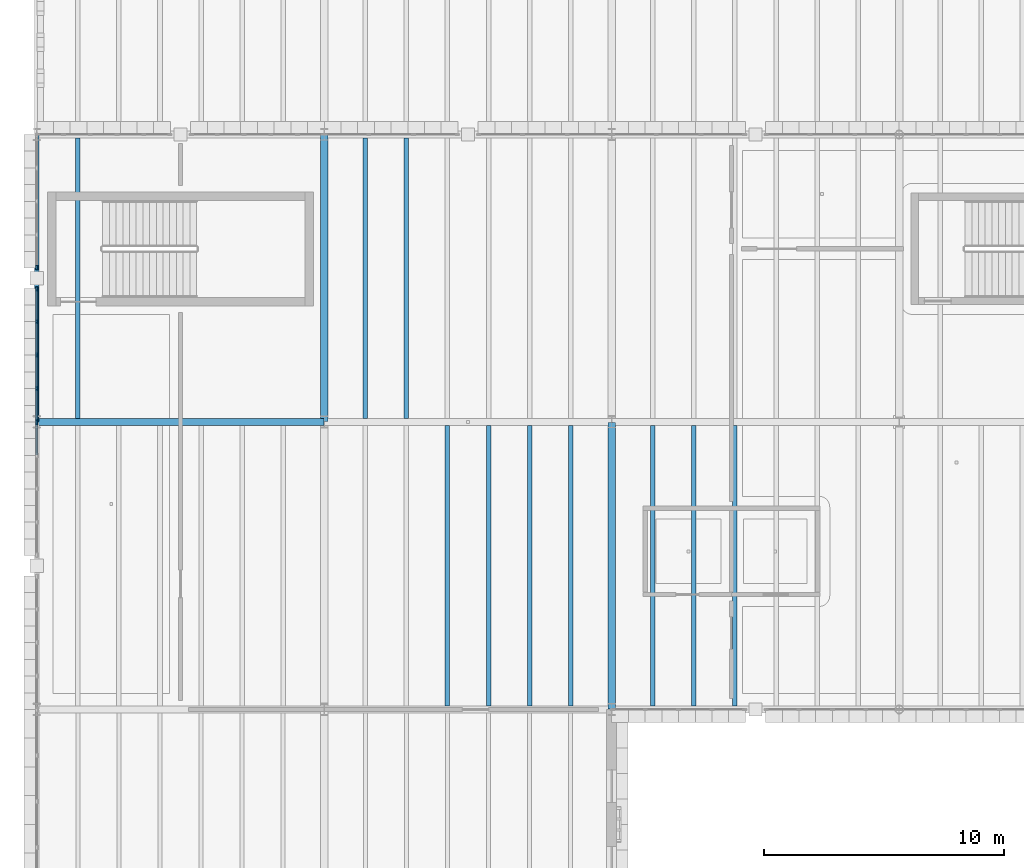
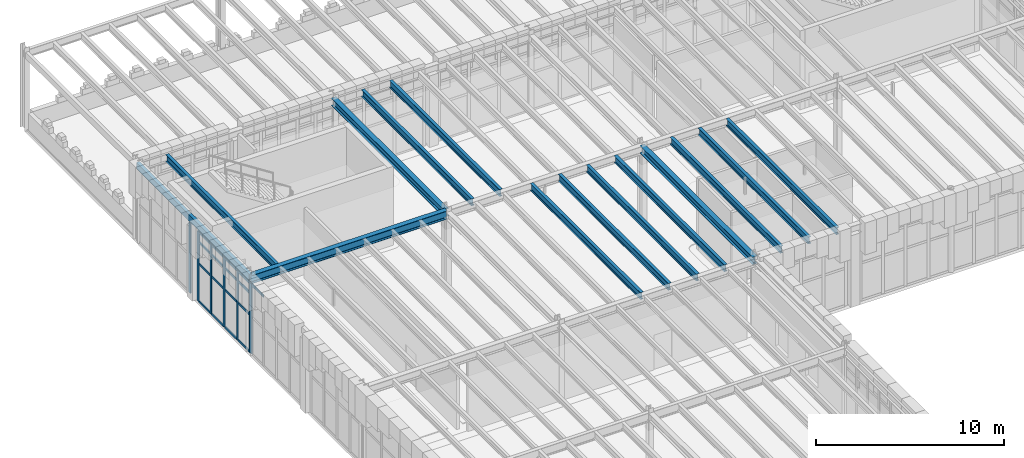
# One storey, part 19 of 100: 24 members, 14 beams, 3 elements without a shape of their own.
"""IFC4 building model written with IfcOpenShell, lengths in metres."""

from ifc_helpers import new_model, si_unit, direction, frame, origin, origin_2d, place, context, subcontext, project, spatial, rectangle, hollow_rectangle, i_section, extrude, material, layer, layer_set, material_profile, profile_set, type_object, element, aggregate, save


model = new_model("IFC4")

# Units and contexts
model_context = context("Model", 3, precision=1e-05, world=origin(), true_north=direction((0.0, 1.0)))
body_context = subcontext(model_context, "Body", "Model", "MODEL_VIEW")
ifc_project = project(units=[si_unit("LENGTHUNIT", "METRE"), si_unit("AREAUNIT", "SQUARE_METRE"), si_unit("VOLUMEUNIT", "CUBIC_METRE"), si_unit("PLANEANGLEUNIT", "RADIAN"), si_unit("MASSUNIT", "GRAM", prefix="KILO")], contexts=[model_context])

# Site, building, storey
site_placement = place(None, origin())
site = spatial("IfcSite", under=ifc_project, at=site_placement, CompositionType="ELEMENT")
building_placement = place(site_placement, origin())
building = spatial("IfcBuilding", under=site, at=building_placement, Name="Zlatogorsky Bluff Art Gallery", CompositionType="ELEMENT")
storey_placement = place(building_placement, frame((0.0, 0.0, 5.39990234375)))
storey = spatial("IfcBuildingStorey", under=building, at=storey_placement, Name="L01", CompositionType="ELEMENT", Elevation=5.39990234375)

# Beams
ifc_material_1 = material(Name="Steel S355", Category="steel")
ifc_material_profile_1 = material_profile(ifc_material_1, i_section(OverallWidth=0.300048828125, OverallDepth=0.5400390625, WebThickness=0.012451171875, FlangeThickness=0.02392578125, FilletRadius=0.027099609375, at=origin_2d()), Name="HEA 550")
ifc_profile_set_1 = profile_set([ifc_material_profile_1], Name="Steel S355")
beam_type_1 = type_object("IfcBeamType", Name="Beam BM-06 HEA 550", PredefinedType="BEAM", material=ifc_profile_set_1)
beam_1_placement = place(storey_placement, frame((0.014892578125, 96.0, 4.840087890625), z_axis=(1.0, 0.0, 0.0), x_axis=(0.0, 1.0, 0.0)))
element("IfcBeam", 1, at=beam_1_placement, inside=storey, type_object=beam_type_1, Name="Primary girder BM-06 L01 A-B/10", PredefinedType="BEAM", context=body_context, shape_type="SweptSolid", body=[
    extrude(i_section(OverallWidth=0.300048828125, OverallDepth=0.5400390625, WebThickness=0.012451171875, FlangeThickness=0.02392578125, FilletRadius=0.027099609375, at=origin_2d()), origin(), (0.0, 0.0, 1.0), 11.97021484375),
])
ifc_material_profile_2 = material_profile(ifc_material_1, i_section(OverallWidth=0.300048828125, OverallDepth=0.489990234375, WebThickness=0.011962890625, FlangeThickness=0.02294921875, FilletRadius=0.027099609375, at=origin_2d()), Name="HEA 500")
ifc_profile_set_2 = profile_set([ifc_material_profile_2], Name="Steel S355")
beam_type_2 = type_object("IfcBeamType", Name="Beam BM-07 HEA 500", PredefinedType="BEAM", material=ifc_profile_set_2)
for number, where, z_axis, x_axis, name in (
    (2, (12.0, 96.014892578125, 4.864990234375), (0.0, 1.0, 0.0), (-1.0, 0.0, 0.0), "Primary girder BM-07 L01 B/10-11"),
    (3, (24.0, 84.014892578125, 4.864990234375), (0.0, 1.0, 0.0), (-1.0, 0.0, 0.0), "Primary girder BM-07 L01 C/9-10"),
):
    element("IfcBeam", number, at=place(storey_placement, frame(where, z_axis=z_axis, x_axis=x_axis)), inside=storey, type_object=beam_type_2, Name=name, PredefinedType="BEAM", context=body_context, shape_type="SweptSolid", body=[
        extrude(i_section(OverallWidth=0.300048828125, OverallDepth=0.489990234375, WebThickness=0.011962890625, FlangeThickness=0.02294921875, FilletRadius=0.027099609375, at=origin_2d()), origin(), (0.0, 0.0, 1.0), 11.97021484375),
    ])
ifc_material_profile_3 = material_profile(ifc_material_1, i_section(OverallWidth=0.18994140625, OverallDepth=0.449951171875, WebThickness=0.009521484375, FlangeThickness=0.0146484375, FilletRadius=0.02099609375, at=origin_2d()), Name="IPE 450")
ifc_profile_set_3 = profile_set([ifc_material_profile_3], Name="Steel S355")
beam_type_3 = type_object("IfcBeamType", Name="Beam JS-06 IPE 450", PredefinedType="JOIST", material=ifc_profile_set_3)
for number, where, z_axis, x_axis, name in (
    (4, (1.71435546875, 96.14990234375, 4.885009765625), (0.0, 1.0, 0.0), (-1.0, 0.0, 0.0), "Composite floor joist JS-06 L01 00.09.1"),
    (5, (17.142822265625, 84.14990234375, 4.885009765625), (0.0, 1.0, 0.0), (-1.0, 0.0, 0.0), "Composite floor joist JS-06 L01 01.08.3"),
    (6, (18.857177734375, 84.14990234375, 4.885009765625), (0.0, 1.0, 0.0), (-1.0, 0.0, 0.0), "Composite floor joist JS-06 L01 01.08.4"),
    (7, (20.571533203125, 84.14990234375, 4.885009765625), (0.0, 1.0, 0.0), (-1.0, 0.0, 0.0), "Composite floor joist JS-06 L01 01.08.5"),
    (8, (22.28564453125, 84.14990234375, 4.885009765625), (0.0, 1.0, 0.0), (-1.0, 0.0, 0.0), "Composite floor joist JS-06 L01 01.08.6"),
    (9, (13.71435546875, 96.14990234375, 4.885009765625), (0.0, 1.0, 0.0), (-1.0, 0.0, 0.0), "Composite floor joist JS-06 L01 01.09.1"),
    (10, (15.428466796875, 96.14990234375, 4.885009765625), (0.0, 1.0, 0.0), (-1.0, 0.0, 0.0), "Composite floor joist JS-06 L01 01.09.2"),
    (11, (25.71435546875, 84.14990234375, 4.885009765625), (0.0, 1.0, 0.0), (-1.0, 0.0, 0.0), "Composite floor joist JS-06 L01 02.08.1"),
    (12, (27.428466796875, 84.14990234375, 4.885009765625), (0.0, 1.0, 0.0), (-1.0, 0.0, 0.0), "Composite floor joist JS-06 L01 02.08.2"),
    (13, (29.142822265625, 84.14990234375, 4.885009765625), (0.0, 1.0, 0.0), (-1.0, 0.0, 0.0), "Composite floor joist JS-06 L01 02.08.3"),
):
    element("IfcBeam", number, at=place(storey_placement, frame(where, z_axis=z_axis, x_axis=x_axis)), inside=storey, type_object=beam_type_3, Name=name, PredefinedType="JOIST", context=body_context, shape_type="SweptSolid", body=[
        extrude(i_section(OverallWidth=0.18994140625, OverallDepth=0.449951171875, WebThickness=0.009521484375, FlangeThickness=0.0146484375, FilletRadius=0.02099609375, at=origin_2d()), origin(), (0.0, 0.0, 1.0), 11.7001953125),
    ])
ifc_material_profile_4 = material_profile(ifc_material_1, hollow_rectangle(XDim=0.199951171875, YDim=0.39990234375, WallThickness=0.01611328125, at=origin_2d()), Name="RHS 400x200x16")
ifc_profile_set_4 = profile_set([ifc_material_profile_4], Name="Steel S355")
beam_type_4 = type_object("IfcBeamType", Name="Beam SP-02 RHS 400x200x16", PredefinedType="SPANDREL", material=ifc_profile_set_4)
beam_2_placement = place(storey_placement, frame((0.0, 96.014892578125, 4.91015625), z_axis=(0.0, 1.0, 0.0), x_axis=(-1.0, 0.0, 0.0)))
element("IfcBeam", 14, at=beam_2_placement, inside=storey, type_object=beam_type_4, Name="Primary girder SP-02 L01 A/10-11", PredefinedType="SPANDREL", context=body_context, shape_type="SweptSolid", body=[
    extrude(hollow_rectangle(XDim=0.199951171875, YDim=0.39990234375, WallThickness=0.01611328125, at=origin_2d()), origin(), (0.0, 0.0, 1.0), 11.97021484375),
])

# Curtain wall, member
ifc_material_2 = material(Name="Anodised Bronze Aluminium and Low-Iron Triple Glazing", Category="aluminium")
ifc_layer = layer(ifc_material_2, 0.179931640625)
ifc_layer_set = layer_set([ifc_layer], Name="Curtain Wall CW-01")
curtain_wall_type = type_object("IfcCurtainWallType", Name="Curtain Wall CW-01", PredefinedType="USERDEFINED", material=ifc_layer_set)
curtain_wall_1_placement = place(storey_placement, origin())
curtain_wall_1 = element("IfcCurtainWall", 15, at=curtain_wall_1_placement, inside=storey, type_object=curtain_wall_type, Name="Unitised curtain wall CW-01 L01 W 0.8-A", ObjectType="CURTAIN WALL", PredefinedType="USERDEFINED")
ifc_material_3 = material(Name="Anodised Bronze Aluminium", Category="aluminium")
ifc_material_profile_5 = material_profile(ifc_material_3, rectangle(XDim=0.06494140625, YDim=0.179931640625, at=origin_2d()), Name="ALU MULLION 65x180")
ifc_profile_set_5 = profile_set([ifc_material_profile_5], Name="Anodised Bronze Aluminium")
member_type_1 = type_object("IfcMemberType", Name="Curtain Mullion ML-01", PredefinedType="MULLION", material=ifc_profile_set_5)
member_1_placement = place(storey_placement, frame((0.0, 95.967529296875, 0.0), z_axis=(0.0, 0.0, 1.0), x_axis=(1.0, 0.0, 0.0)))
member_1 = element("IfcMember", 16, at=member_1_placement, type_object=member_type_1, Name="CW-01 mullion 1", PredefinedType="MULLION", context=body_context, shape_type="SweptSolid", body=[
    extrude(rectangle(XDim=0.06494140625, YDim=0.179931640625, at=origin_2d()), origin(), (0.0, 0.0, 1.0), 4.530029296875),
])

curtain_wall_2_placement = place(storey_placement, origin())
curtain_wall_2 = element("IfcCurtainWall", 17, at=curtain_wall_2_placement, inside=storey, type_object=curtain_wall_type, Name="Unitised curtain wall CW-01 L01 W 0.9-A", ObjectType="CURTAIN WALL", PredefinedType="USERDEFINED")
member_2_placement = place(storey_placement, frame((0.0, 102.452392578125, 0.0), z_axis=(0.0, 0.0, 1.0), x_axis=(1.0, 0.0, 0.0)))
member_2 = element("IfcMember", 18, at=member_2_placement, type_object=member_type_1, Name="CW-01 mullion 5", PredefinedType="MULLION", context=body_context, shape_type="SweptSolid", body=[
    extrude(rectangle(XDim=0.06494140625, YDim=0.179931640625, at=origin_2d()), origin(), (0.0, 0.0, 1.0), 4.530029296875),
])
aggregate(curtain_wall_2, [member_2])

# Curtain wall, members
curtain_wall_3_placement = place(storey_placement, origin())
curtain_wall_3 = element("IfcCurtainWall", 19, at=curtain_wall_3_placement, inside=storey, type_object=curtain_wall_type, Name="Unitised curtain wall CW-01 L01 W 0.9-B", ObjectType="CURTAIN WALL", PredefinedType="USERDEFINED")
member_3_placement = place(storey_placement, frame((0.0, 101.547607421875, 0.0), z_axis=(0.0, 0.0, 1.0), x_axis=(1.0, 0.0, 0.0)))
member_3 = element("IfcMember", 20, at=member_3_placement, type_object=member_type_1, Name="CW-01 mullion 1", PredefinedType="MULLION", context=body_context, shape_type="SweptSolid", body=[
    extrude(rectangle(XDim=0.06494140625, YDim=0.179931640625, at=origin_2d()), origin(), (0.0, 0.0, 1.0), 4.530029296875),
])
member_4_placement = place(storey_placement, frame((0.0, 100.18505859375, 0.0), z_axis=(0.0, 0.0, 1.0), x_axis=(1.0, 0.0, 0.0)))
member_4 = element("IfcMember", 21, at=member_4_placement, type_object=member_type_1, Name="CW-01 mullion 2", PredefinedType="MULLION", context=body_context, shape_type="SweptSolid", body=[
    extrude(rectangle(XDim=0.06494140625, YDim=0.179931640625, at=origin_2d()), origin(), (0.0, 0.0, 1.0), 4.530029296875),
])
member_5_placement = place(storey_placement, frame((0.0, 98.7900390625, 0.0), z_axis=(0.0, 0.0, 1.0), x_axis=(1.0, 0.0, 0.0)))
member_5 = element("IfcMember", 22, at=member_5_placement, type_object=member_type_1, Name="CW-01 mullion 3", PredefinedType="MULLION", context=body_context, shape_type="SweptSolid", body=[
    extrude(rectangle(XDim=0.06494140625, YDim=0.179931640625, at=origin_2d()), origin(), (0.0, 0.0, 1.0), 4.530029296875),
])
member_6_placement = place(storey_placement, frame((0.0, 97.39501953125, 0.0), z_axis=(0.0, 0.0, 1.0), x_axis=(1.0, 0.0, 0.0)))
member_6 = element("IfcMember", 23, at=member_6_placement, type_object=member_type_1, Name="CW-01 mullion 4", PredefinedType="MULLION", context=body_context, shape_type="SweptSolid", body=[
    extrude(rectangle(XDim=0.06494140625, YDim=0.179931640625, at=origin_2d()), origin(), (0.0, 0.0, 1.0), 4.530029296875),
])
member_7_placement = place(storey_placement, frame((0.0, 96.032470703125, 0.0), z_axis=(0.0, 0.0, 1.0), x_axis=(1.0, 0.0, 0.0)))
member_7 = element("IfcMember", 24, at=member_7_placement, type_object=member_type_1, Name="CW-01 mullion 5", PredefinedType="MULLION", context=body_context, shape_type="SweptSolid", body=[
    extrude(rectangle(XDim=0.06494140625, YDim=0.179931640625, at=origin_2d()), origin(), (0.0, 0.0, 1.0), 4.530029296875),
])

# Member
ifc_material_profile_6 = material_profile(ifc_material_3, rectangle(XDim=0.06494140625, YDim=0.139892578125, at=origin_2d()), Name="ALU TRANSOM 65x140")
ifc_profile_set_6 = profile_set([ifc_material_profile_6], Name="Anodised Bronze Aluminium")
member_type_2 = type_object("IfcMemberType", Name="Curtain Transom TR-01", PredefinedType="USERDEFINED", material=ifc_profile_set_6)
member_8_placement = place(storey_placement, frame((0.0, 95.93505859375, 4.49755859375), z_axis=(0.0, -1.0, 0.0), x_axis=(1.0, 0.0, 0.0)))
member_8 = element("IfcMember", 25, at=member_8_placement, type_object=member_type_2, Name="CW-01 transom 1.4", ObjectType="TRANSOM", PredefinedType="USERDEFINED", context=body_context, shape_type="SweptSolid", body=[
    extrude(rectangle(XDim=0.06494140625, YDim=0.139892578125, at=origin_2d()), origin(), (0.0, 0.0, 1.0), 1.297607421875),
])

aggregate(curtain_wall_1, [member_1, member_8])

member_9_placement = place(storey_placement, frame((0.0, 101.514892578125, 0.03271484375), z_axis=(0.0, -1.0, 0.0), x_axis=(1.0, 0.0, 0.0)))
member_9 = element("IfcMember", 26, at=member_9_placement, type_object=member_type_2, Name="CW-01 transom 1.1", ObjectType="TRANSOM", PredefinedType="USERDEFINED", context=body_context, shape_type="SweptSolid", body=[
    extrude(rectangle(XDim=0.06494140625, YDim=0.139892578125, at=origin_2d()), origin(), (0.0, 0.0, 1.0), 1.29736328125),
])

member_10_placement = place(storey_placement, frame((0.0, 101.514892578125, 2.4501953125), z_axis=(0.0, -1.0, 0.0), x_axis=(1.0, 0.0, 0.0)))
member_10 = element("IfcMember", 27, at=member_10_placement, type_object=member_type_2, Name="CW-01 transom 1.2", ObjectType="TRANSOM", PredefinedType="USERDEFINED", context=body_context, shape_type="SweptSolid", body=[
    extrude(rectangle(XDim=0.06494140625, YDim=0.139892578125, at=origin_2d()), origin(), (0.0, 0.0, 1.0), 1.29736328125),
])

member_11_placement = place(storey_placement, frame((0.0, 101.514892578125, 3.85009765625), z_axis=(0.0, -1.0, 0.0), x_axis=(1.0, 0.0, 0.0)))
member_11 = element("IfcMember", 28, at=member_11_placement, type_object=member_type_2, Name="CW-01 transom 1.3", ObjectType="TRANSOM", PredefinedType="USERDEFINED", context=body_context, shape_type="SweptSolid", body=[
    extrude(rectangle(XDim=0.06494140625, YDim=0.139892578125, at=origin_2d()), origin(), (0.0, 0.0, 1.0), 1.29736328125),
])

member_12_placement = place(storey_placement, frame((0.0, 101.514892578125, 4.49755859375), z_axis=(0.0, -1.0, 0.0), x_axis=(1.0, 0.0, 0.0)))
member_12 = element("IfcMember", 29, at=member_12_placement, type_object=member_type_2, Name="CW-01 transom 1.4", ObjectType="TRANSOM", PredefinedType="USERDEFINED", context=body_context, shape_type="SweptSolid", body=[
    extrude(rectangle(XDim=0.06494140625, YDim=0.139892578125, at=origin_2d()), origin(), (0.0, 0.0, 1.0), 1.29736328125),
])

member_13_placement = place(storey_placement, frame((0.0, 100.152587890625, 0.03271484375), z_axis=(0.0, -1.0, 0.0), x_axis=(1.0, 0.0, 0.0)))
member_13 = element("IfcMember", 30, at=member_13_placement, type_object=member_type_2, Name="CW-01 transom 2.1", ObjectType="TRANSOM", PredefinedType="USERDEFINED", context=body_context, shape_type="SweptSolid", body=[
    extrude(rectangle(XDim=0.06494140625, YDim=0.139892578125, at=origin_2d()), origin(), (0.0, 0.0, 1.0), 1.330078125),
])

member_14_placement = place(storey_placement, frame((0.0, 100.152587890625, 2.4501953125), z_axis=(0.0, -1.0, 0.0), x_axis=(1.0, 0.0, 0.0)))
member_14 = element("IfcMember", 31, at=member_14_placement, type_object=member_type_2, Name="CW-01 transom 2.2", ObjectType="TRANSOM", PredefinedType="USERDEFINED", context=body_context, shape_type="SweptSolid", body=[
    extrude(rectangle(XDim=0.06494140625, YDim=0.139892578125, at=origin_2d()), origin(), (0.0, 0.0, 1.0), 1.330078125),
])

member_15_placement = place(storey_placement, frame((0.0, 100.152587890625, 3.85009765625), z_axis=(0.0, -1.0, 0.0), x_axis=(1.0, 0.0, 0.0)))
member_15 = element("IfcMember", 32, at=member_15_placement, type_object=member_type_2, Name="CW-01 transom 2.3", ObjectType="TRANSOM", PredefinedType="USERDEFINED", context=body_context, shape_type="SweptSolid", body=[
    extrude(rectangle(XDim=0.06494140625, YDim=0.139892578125, at=origin_2d()), origin(), (0.0, 0.0, 1.0), 1.330078125),
])

member_16_placement = place(storey_placement, frame((0.0, 100.152587890625, 4.49755859375), z_axis=(0.0, -1.0, 0.0), x_axis=(1.0, 0.0, 0.0)))
member_16 = element("IfcMember", 33, at=member_16_placement, type_object=member_type_2, Name="CW-01 transom 2.4", ObjectType="TRANSOM", PredefinedType="USERDEFINED", context=body_context, shape_type="SweptSolid", body=[
    extrude(rectangle(XDim=0.06494140625, YDim=0.139892578125, at=origin_2d()), origin(), (0.0, 0.0, 1.0), 1.330078125),
])

member_17_placement = place(storey_placement, frame((0.0, 98.757568359375, 0.03271484375), z_axis=(0.0, -1.0, 0.0), x_axis=(1.0, 0.0, 0.0)))
member_17 = element("IfcMember", 34, at=member_17_placement, type_object=member_type_2, Name="CW-01 transom 3.1", ObjectType="TRANSOM", PredefinedType="USERDEFINED", context=body_context, shape_type="SweptSolid", body=[
    extrude(rectangle(XDim=0.06494140625, YDim=0.139892578125, at=origin_2d()), origin(), (0.0, 0.0, 1.0), 1.330078125),
])

member_18_placement = place(storey_placement, frame((0.0, 98.757568359375, 2.4501953125), z_axis=(0.0, -1.0, 0.0), x_axis=(1.0, 0.0, 0.0)))
member_18 = element("IfcMember", 35, at=member_18_placement, type_object=member_type_2, Name="CW-01 transom 3.2", ObjectType="TRANSOM", PredefinedType="USERDEFINED", context=body_context, shape_type="SweptSolid", body=[
    extrude(rectangle(XDim=0.06494140625, YDim=0.139892578125, at=origin_2d()), origin(), (0.0, 0.0, 1.0), 1.330078125),
])

member_19_placement = place(storey_placement, frame((0.0, 98.757568359375, 3.85009765625), z_axis=(0.0, -1.0, 0.0), x_axis=(1.0, 0.0, 0.0)))
member_19 = element("IfcMember", 36, at=member_19_placement, type_object=member_type_2, Name="CW-01 transom 3.3", ObjectType="TRANSOM", PredefinedType="USERDEFINED", context=body_context, shape_type="SweptSolid", body=[
    extrude(rectangle(XDim=0.06494140625, YDim=0.139892578125, at=origin_2d()), origin(), (0.0, 0.0, 1.0), 1.330078125),
])

member_20_placement = place(storey_placement, frame((0.0, 98.757568359375, 4.49755859375), z_axis=(0.0, -1.0, 0.0), x_axis=(1.0, 0.0, 0.0)))
member_20 = element("IfcMember", 37, at=member_20_placement, type_object=member_type_2, Name="CW-01 transom 3.4", ObjectType="TRANSOM", PredefinedType="USERDEFINED", context=body_context, shape_type="SweptSolid", body=[
    extrude(rectangle(XDim=0.06494140625, YDim=0.139892578125, at=origin_2d()), origin(), (0.0, 0.0, 1.0), 1.330078125),
])

member_21_placement = place(storey_placement, frame((0.0, 97.362548828125, 0.03271484375), z_axis=(0.0, -1.0, 0.0), x_axis=(1.0, 0.0, 0.0)))
member_21 = element("IfcMember", 38, at=member_21_placement, type_object=member_type_2, Name="CW-01 transom 4.1", ObjectType="TRANSOM", PredefinedType="USERDEFINED", context=body_context, shape_type="SweptSolid", body=[
    extrude(rectangle(XDim=0.06494140625, YDim=0.139892578125, at=origin_2d()), origin(), (0.0, 0.0, 1.0), 1.297607421875),
])

member_22_placement = place(storey_placement, frame((0.0, 97.362548828125, 2.4501953125), z_axis=(0.0, -1.0, 0.0), x_axis=(1.0, 0.0, 0.0)))
member_22 = element("IfcMember", 39, at=member_22_placement, type_object=member_type_2, Name="CW-01 transom 4.2", ObjectType="TRANSOM", PredefinedType="USERDEFINED", context=body_context, shape_type="SweptSolid", body=[
    extrude(rectangle(XDim=0.06494140625, YDim=0.139892578125, at=origin_2d()), origin(), (0.0, 0.0, 1.0), 1.297607421875),
])

member_23_placement = place(storey_placement, frame((0.0, 97.362548828125, 3.85009765625), z_axis=(0.0, -1.0, 0.0), x_axis=(1.0, 0.0, 0.0)))
member_23 = element("IfcMember", 40, at=member_23_placement, type_object=member_type_2, Name="CW-01 transom 4.3", ObjectType="TRANSOM", PredefinedType="USERDEFINED", context=body_context, shape_type="SweptSolid", body=[
    extrude(rectangle(XDim=0.06494140625, YDim=0.139892578125, at=origin_2d()), origin(), (0.0, 0.0, 1.0), 1.297607421875),
])

member_24_placement = place(storey_placement, frame((0.0, 97.362548828125, 4.49755859375), z_axis=(0.0, -1.0, 0.0), x_axis=(1.0, 0.0, 0.0)))
member_24 = element("IfcMember", 41, at=member_24_placement, type_object=member_type_2, Name="CW-01 transom 4.4", ObjectType="TRANSOM", PredefinedType="USERDEFINED", context=body_context, shape_type="SweptSolid", body=[
    extrude(rectangle(XDim=0.06494140625, YDim=0.139892578125, at=origin_2d()), origin(), (0.0, 0.0, 1.0), 1.297607421875),
])

aggregate(curtain_wall_3, [member_3, member_4, member_5, member_6, member_7, member_9, member_10, member_11, member_12, member_13, member_14, member_15, member_16, member_17, member_18, member_19, member_20, member_21, member_22, member_23, member_24])

save(model, "model.ifc")
